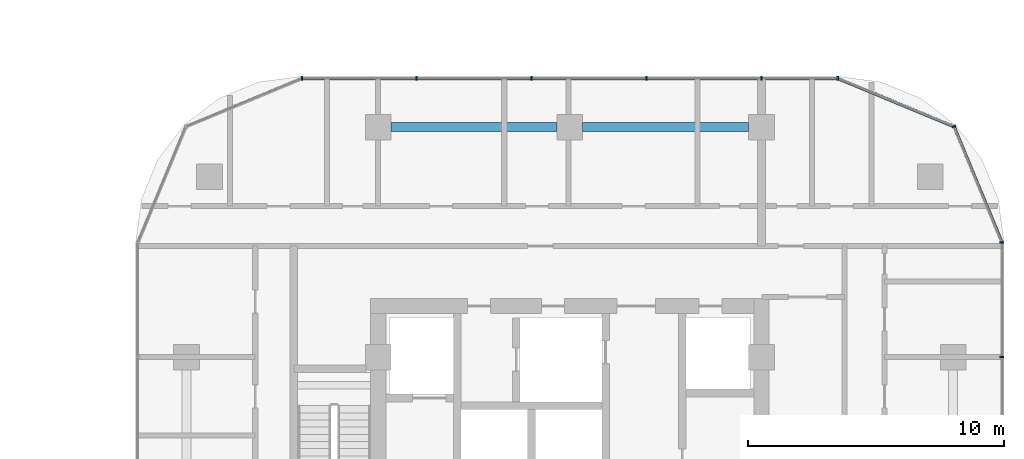
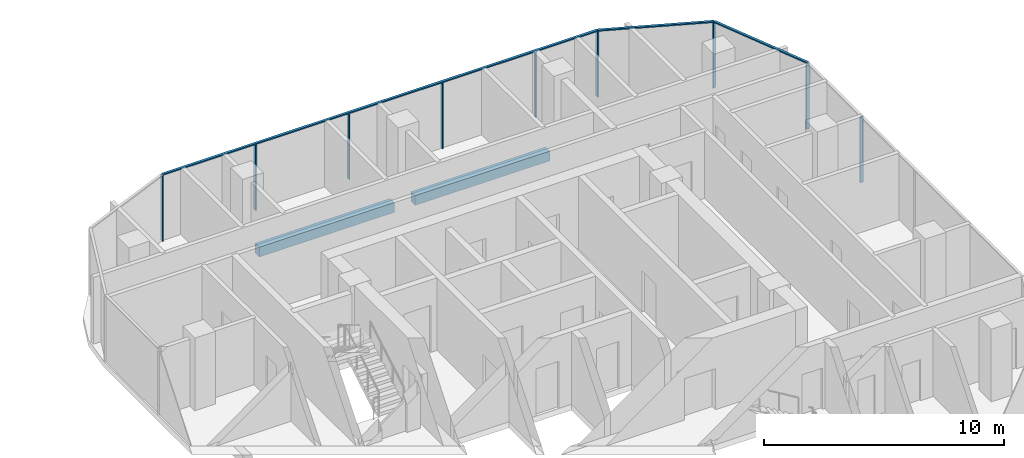
# One storey, part 12 of 32: 12 members, 2 beams, 3 elements without a shape of their own.
"""IFC4 building model written with IfcOpenShell, lengths in metres."""

from ifc_helpers import new_model, si_unit, direction, frame, origin, origin_2d, place, context, subcontext, project, spatial, rectangle, extrude, material, material_profile, profile_set, type_object, element, aggregate, save


model = new_model("IFC4")

# Units and contexts
model_context = context("Model", 3, precision=1e-05, world=origin(), true_north=direction((0.0, 1.0)))
body_context = subcontext(model_context, "Body", "Model", "MODEL_VIEW")
ifc_project = project(units=[si_unit("LENGTHUNIT", "METRE"), si_unit("AREAUNIT", "SQUARE_METRE"), si_unit("VOLUMEUNIT", "CUBIC_METRE"), si_unit("PLANEANGLEUNIT", "RADIAN"), si_unit("MASSUNIT", "GRAM", prefix="KILO")], contexts=[model_context])

# Site, building, storey
site_placement = place(None, origin())
site = spatial("IfcSite", under=ifc_project, at=site_placement, CompositionType="ELEMENT")
building_placement = place(site_placement, origin())
building = spatial("IfcBuilding", under=site, at=building_placement, Name="Ogive Portal Towers", CompositionType="ELEMENT")
storey_placement = place(building_placement, frame((0.0, 0.0, 55.699951171875)))
storey = spatial("IfcBuildingStorey", under=building, at=storey_placement, Name="L12", CompositionType="ELEMENT", Elevation=55.699951171875)

# Curtain wall, members
ifc_material_1 = material(Name="Glass, clear low-iron insulated glazing", Category="glass")
curtain_wall_type = type_object("IfcCurtainWallType", Name="CW RESIDENCES RIBBON", PredefinedType="NOTDEFINED", material=ifc_material_1)
curtain_wall_1_placement = place(storey_placement, origin())
curtain_wall_1 = element("IfcCurtainWall", 1, at=curtain_wall_1_placement, inside=storey, type_object=curtain_wall_type, Name="B:L12:f05:cw0", PredefinedType="NOTDEFINED")
ifc_material_2 = material(Name="Aluminium 6063 anodised", Category="aluminium")
ifc_material_profile_1 = material_profile(ifc_material_2, rectangle(XDim=0.159912109375, YDim=0.06005859375, at=origin_2d()), Name="AL 60x160")
ifc_profile_set_1 = profile_set([ifc_material_profile_1], Name="Aluminium 6063 anodised")
member_type_1 = type_object("IfcMemberType", Name="CW MULLION 60x160", PredefinedType="MULLION", material=ifc_profile_set_1)
member_1_placement = place(storey_placement, frame((153.409912109375, 35.5, 0.0), z_axis=(0.0, 0.0, 1.0), x_axis=(-1.0, 0.0, 0.0)))
member_1 = element("IfcMember", 2, at=member_1_placement, type_object=member_type_1, Name="mullion", PredefinedType="MULLION", context=body_context, shape_type="SweptSolid", body=[
    extrude(rectangle(XDim=0.159912109375, YDim=0.06005859375, at=origin_2d()), origin(), (0.0, 0.0, 1.0), 3.340087890625),
])
member_2_placement = place(storey_placement, frame((153.409912109375, 39.984130859375, 0.0), z_axis=(0.0, 0.0, 1.0), x_axis=(-1.0, 0.0, 0.0)))
member_2 = element("IfcMember", 3, at=member_2_placement, type_object=member_type_1, Name="mullion", PredefinedType="MULLION", context=body_context, shape_type="SweptSolid", body=[
    extrude(rectangle(XDim=0.159912109375, YDim=0.06005859375, at=origin_2d()), origin(), (0.0, 0.0, 1.0), 3.340087890625),
])
aggregate(curtain_wall_1, [member_1, member_2])

curtain_wall_2_placement = place(storey_placement, origin())
curtain_wall_2 = element("IfcCurtainWall", 4, at=curtain_wall_2_placement, inside=storey, type_object=curtain_wall_type, Name="B:L12:f08:cw0", PredefinedType="NOTDEFINED")
member_3_placement = place(storey_placement, frame((146.984130859375, 46.409912109375, 0.0), z_axis=(0.0, 0.0, 1.0), x_axis=(0.0, -1.0, 0.0)))
member_3 = element("IfcMember", 5, at=member_3_placement, type_object=member_type_1, Name="mullion", PredefinedType="MULLION", context=body_context, shape_type="SweptSolid", body=[
    extrude(rectangle(XDim=0.159912109375, YDim=0.06005859375, at=origin_2d()), origin(), (0.0, 0.0, 1.0), 3.340087890625),
])
member_4_placement = place(storey_placement, frame((144.0, 46.409912109375, 0.0), z_axis=(0.0, 0.0, 1.0), x_axis=(0.0, -1.0, 0.0)))
member_4 = element("IfcMember", 6, at=member_4_placement, type_object=member_type_1, Name="mullion", PredefinedType="MULLION", context=body_context, shape_type="SweptSolid", body=[
    extrude(rectangle(XDim=0.159912109375, YDim=0.06005859375, at=origin_2d()), origin(), (0.0, 0.0, 1.0), 3.340087890625),
])
member_5_placement = place(storey_placement, frame((139.5, 46.409912109375, 0.0), z_axis=(0.0, 0.0, 1.0), x_axis=(0.0, -1.0, 0.0)))
member_5 = element("IfcMember", 7, at=member_5_placement, type_object=member_type_1, Name="mullion", PredefinedType="MULLION", context=body_context, shape_type="SweptSolid", body=[
    extrude(rectangle(XDim=0.159912109375, YDim=0.06005859375, at=origin_2d()), origin(), (0.0, 0.0, 1.0), 3.340087890625),
])
member_6_placement = place(storey_placement, frame((135.0, 46.409912109375, 0.0), z_axis=(0.0, 0.0, 1.0), x_axis=(0.0, -1.0, 0.0)))
member_6 = element("IfcMember", 8, at=member_6_placement, type_object=member_type_1, Name="mullion", PredefinedType="MULLION", context=body_context, shape_type="SweptSolid", body=[
    extrude(rectangle(XDim=0.159912109375, YDim=0.06005859375, at=origin_2d()), origin(), (0.0, 0.0, 1.0), 3.340087890625),
])
member_7_placement = place(storey_placement, frame((130.5, 46.409912109375, 0.0), z_axis=(0.0, 0.0, 1.0), x_axis=(0.0, -1.0, 0.0)))
member_7 = element("IfcMember", 9, at=member_7_placement, type_object=member_type_1, Name="mullion", PredefinedType="MULLION", context=body_context, shape_type="SweptSolid", body=[
    extrude(rectangle(XDim=0.159912109375, YDim=0.06005859375, at=origin_2d()), origin(), (0.0, 0.0, 1.0), 3.340087890625),
])
member_8_placement = place(storey_placement, frame((126.015869140625, 46.409912109375, 0.0), z_axis=(0.0, 0.0, 1.0), x_axis=(0.0, -1.0, 0.0)))
member_8 = element("IfcMember", 10, at=member_8_placement, type_object=member_type_1, Name="mullion", PredefinedType="MULLION", context=body_context, shape_type="SweptSolid", body=[
    extrude(rectangle(XDim=0.159912109375, YDim=0.06005859375, at=origin_2d()), origin(), (0.0, 0.0, 1.0), 3.340087890625),
])

# Curtain wall, member
curtain_wall_3_placement = place(storey_placement, origin())
curtain_wall_3 = element("IfcCurtainWall", 11, at=curtain_wall_3_placement, inside=storey, type_object=curtain_wall_type, Name="B:L12:f06:cwa", PredefinedType="NOTDEFINED")
member_9_placement = place(storey_placement, frame((151.52783203125, 44.52783203125, 0.0), z_axis=(0.0, 0.0, 1.0), x_axis=(-0.923879532511, -0.382683432365, 0.0)))
member_9 = element("IfcMember", 12, at=member_9_placement, type_object=member_type_1, Name="mullion", PredefinedType="MULLION", context=body_context, shape_type="SweptSolid", body=[
    extrude(rectangle(XDim=0.159912109375, YDim=0.06005859375, at=origin_2d()), origin(), (0.0, 0.0, 1.0), 3.340087890625),
])

# Member
ifc_material_profile_2 = material_profile(ifc_material_2, rectangle(XDim=0.1201171875, YDim=0.06005859375, at=origin_2d()), Name="AL 120x60")
ifc_profile_set_2 = profile_set([ifc_material_profile_2], Name="Aluminium 6063 anodised")
member_type_2 = type_object("IfcMemberType", Name="CW TRANSOM 60x120", PredefinedType="USERDEFINED", material=ifc_profile_set_2)
member_10_placement = place(storey_placement, frame((146.984130859375, 46.409912109375, 3.3701171875), z_axis=(-1.0, 0.0, 0.0), x_axis=(0.0, -1.0, 0.0)))
member_10 = element("IfcMember", 13, at=member_10_placement, type_object=member_type_2, Name="transom", ObjectType="TRANSOM", PredefinedType="USERDEFINED", context=body_context, shape_type="SweptSolid", body=[
    extrude(rectangle(XDim=0.1201171875, YDim=0.06005859375, at=origin_2d()), origin(), (0.0, 0.0, 1.0), 20.96826171875),
])

aggregate(curtain_wall_2, [member_10, member_3, member_4, member_5, member_6, member_7, member_8])

member_11_placement = place(storey_placement, frame((153.409912109375, 39.984130859375, 3.3701171875), z_axis=(-0.382686457306, 0.923878279534, 0.0), x_axis=(-0.923878279534, -0.382686457306, 0.0)))
member_11 = element("IfcMember", 14, at=member_11_placement, type_object=member_type_2, Name="transom", ObjectType="TRANSOM", PredefinedType="USERDEFINED", context=body_context, shape_type="SweptSolid", body=[
    extrude(rectangle(XDim=0.1201171875, YDim=0.06005859375, at=origin_2d()), origin(), (0.0, 0.0, 1.0), 4.91796875),
])

member_12_placement = place(storey_placement, frame((151.52783203125, 44.52783203125, 3.3701171875), z_axis=(-0.923878279534, 0.382686457306, 0.0), x_axis=(-0.382686457306, -0.923878279534, 0.0)))
member_12 = element("IfcMember", 15, at=member_12_placement, type_object=member_type_2, Name="transom", ObjectType="TRANSOM", PredefinedType="USERDEFINED", context=body_context, shape_type="SweptSolid", body=[
    extrude(rectangle(XDim=0.1201171875, YDim=0.06005859375, at=origin_2d()), origin(), (0.0, 0.0, 1.0), 4.91796875),
])

aggregate(curtain_wall_3, [member_11, member_12, member_9])

# Beams
ifc_material_3 = material(Name="Concrete C50/60", Category="concrete")
ifc_material_profile_3 = material_profile(ifc_material_3, rectangle(XDim=0.35009765625, YDim=0.5, at=origin_2d()), Name="RC 350x500")
ifc_profile_set_3 = profile_set([ifc_material_profile_3], Name="Concrete C50/60")
beam_type = type_object("IfcBeamType", Name="SPANDREL BEAM RC 350x500", PredefinedType="BEAM", material=ifc_profile_set_3)
for number, where, z_axis, x_axis, name in (
    (16, (143.5, 44.5, -0.550048828125), (-1.0, 0.0, 0.0), (0.0, -1.0, 0.0), "Spandrel beam L12"),
    (17, (136.0, 44.5, -0.550048828125), (-1.0, 0.0, 0.0), (0.0, -1.0, 0.0), "Spandrel beam L12"),
):
    element("IfcBeam", number, at=place(storey_placement, frame(where, z_axis=z_axis, x_axis=x_axis)), inside=storey, type_object=beam_type, Name=name, PredefinedType="BEAM", context=body_context, shape_type="SweptSolid", body=[
        extrude(rectangle(XDim=0.35009765625, YDim=0.5, at=origin_2d()), origin(), (0.0, 0.0, 1.0), 6.5),
    ])

save(model, "model.ifc")
